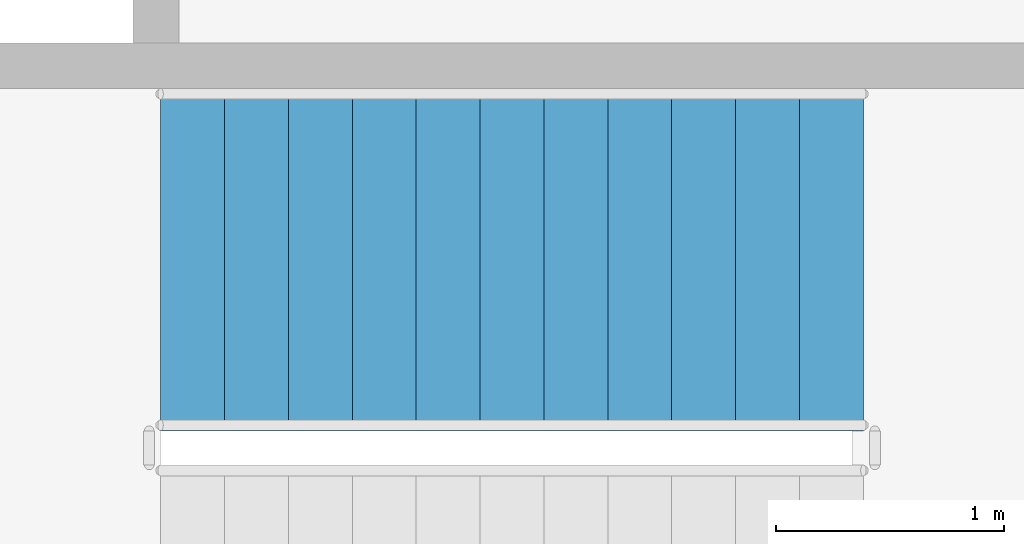
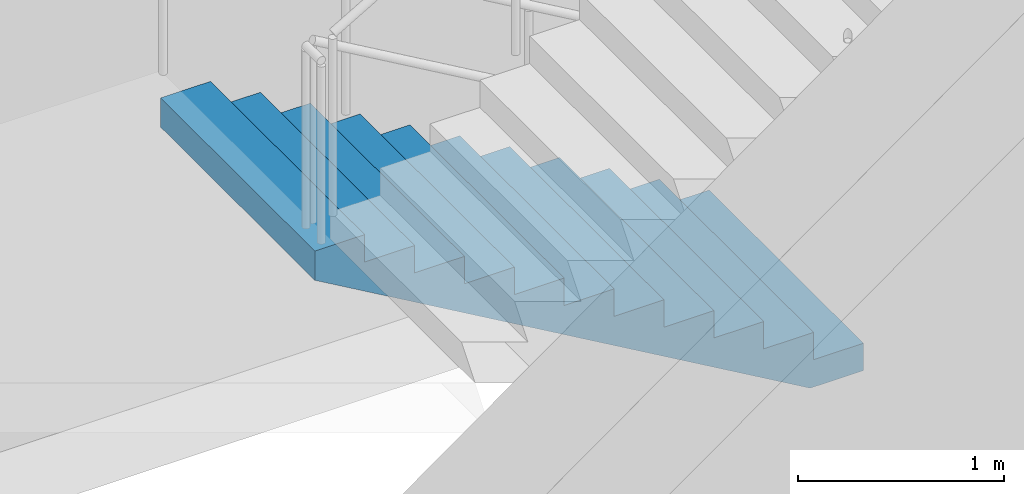
# One storey, part 74 of 95: 1 stair flight, 1 element without a shape of its own.
"""IFC4 building model written with IfcOpenShell, lengths in metres."""

from ifc_helpers import new_model, si_unit, direction, frame, origin, place, context, subcontext, project, spatial, triangles, material, type_object, element, aggregate, save


model = new_model("IFC4")

# Units and contexts
model_context = context("Model", 3, precision=1e-05, world=origin(), true_north=direction((0.0, 1.0)))
body_context = subcontext(model_context, "Body", "Model", "MODEL_VIEW")
ifc_project = project(units=[si_unit("LENGTHUNIT", "METRE"), si_unit("AREAUNIT", "SQUARE_METRE"), si_unit("VOLUMEUNIT", "CUBIC_METRE"), si_unit("PLANEANGLEUNIT", "RADIAN"), si_unit("MASSUNIT", "GRAM", prefix="KILO")], contexts=[model_context])

# Site, building, storey
site_placement = place(None, origin())
site = spatial("IfcSite", under=ifc_project, at=site_placement, CompositionType="ELEMENT")
building_placement = place(site_placement, origin())
building = spatial("IfcBuilding", under=site, at=building_placement, Name="Magnolia Steps Interchange", CompositionType="ELEMENT")
storey_placement = place(building_placement, frame((0.0, 0.0, 4.800048828125)))
storey = spatial("IfcBuildingStorey", under=building, at=storey_placement, Name="L01", CompositionType="ELEMENT", Elevation=4.800048828125)

# Stair, stair flight
ifc_material_1 = material(Name="Concrete C40", Category="concrete")
stair_type = type_object("IfcStairType", Name="Exit stair 1500", PredefinedType="HALF_TURN_STAIR", material=ifc_material_1)
stair_placement = place(storey_placement, origin())
stair = element("IfcStair", 1, at=stair_placement, inside=storey, type_object=stair_type, Name="L01 Stair 1", PredefinedType="HALF_TURN_STAIR")
ifc_material_2 = material(Name="Concrete C40", Category="concrete")
stair_flight_type = type_object("IfcStairFlightType", Name="Exit stair flight", PredefinedType="STRAIGHT", material=ifc_material_2)
stair_flight_placement = place(storey_placement, frame((59.0, 77.699951171875, 0.0), z_axis=(0.0, 0.0, 1.0), x_axis=(-1.0, 0.0, 0.0)))
stair_flight = element("IfcStairFlight", 2, at=stair_flight_placement, type_object=stair_flight_type, Name="Stair 1 flight 1", NumberOfRisers=12, NumberOfTreads=11, PredefinedType="STRAIGHT", RiserHeight=0.1625, TreadLength=0.28, context=body_context, shape_type="Tessellation", body=[
    triangles([(0.0, -0.75, 0.0), (0.298583984375, -0.75, 0.0), (3.080078125, -0.75, 1.6142578125), (3.080078125, -0.75, 1.78759765625), (2.800048828125, -0.75, 1.78759765625), (2.800048828125, -0.75, 1.625), (2.52001953125, -0.75, 1.625), (2.52001953125, -0.75, 1.46240234375), (2.239990234375, -0.75, 1.46240234375), (2.239990234375, -0.75, 1.300048828125), (1.9599609375, -0.75, 1.300048828125), (1.9599609375, -0.75, 1.137451171875), (1.679931640625, -0.75, 1.137451171875), (1.679931640625, -0.75, 0.97509765625), (1.39990234375, -0.75, 0.97509765625), (1.39990234375, -0.75, 0.8125), (1.1201171875, -0.75, 0.8125), (1.1201171875, -0.75, 0.64990234375), (0.840087890625, -0.75, 0.64990234375), (0.840087890625, -0.75, 0.487548828125), (0.56005859375, -0.75, 0.487548828125), (0.56005859375, -0.75, 0.324951171875), (0.280029296875, -0.75, 0.324951171875), (0.280029296875, -0.75, 0.16259765625), (0.0, -0.75, 0.16259765625), (0.0, 0.75, 0.0), (0.298583984375, 0.75, 0.0), (3.080078125, 0.75, 1.6142578125), (3.080078125, 0.75, 1.78759765625), (2.800048828125, 0.75, 1.78759765625), (2.800048828125, 0.75, 1.625), (2.52001953125, 0.75, 1.625), (2.52001953125, 0.75, 1.46240234375), (2.239990234375, 0.75, 1.46240234375), (2.239990234375, 0.75, 1.300048828125), (1.9599609375, 0.75, 1.300048828125), (1.9599609375, 0.75, 1.137451171875), (1.679931640625, 0.75, 1.137451171875), (1.679931640625, 0.75, 0.97509765625), (1.39990234375, 0.75, 0.97509765625), (1.39990234375, 0.75, 0.8125), (1.1201171875, 0.75, 0.8125), (1.1201171875, 0.75, 0.64990234375), (0.840087890625, 0.75, 0.64990234375), (0.840087890625, 0.75, 0.487548828125), (0.56005859375, 0.75, 0.487548828125), (0.56005859375, 0.75, 0.324951171875), (0.280029296875, 0.75, 0.324951171875), (0.280029296875, 0.75, 0.16259765625), (0.0, 0.75, 0.16259765625), (0.0, 0.0, 0.0), (0.0, 0.0, 0.0406494140625), (0.0, 0.0, 0.081298828125), (0.0, 0.0, 0.1219482421875), (0.0, 0.0, 0.16259765625), (0.0, -0.05, 0.0), (0.0, -0.05, 0.16259765625), (0.0, 0.05, 0.0), (0.0, 0.05, 0.16259765625), (0.046671549479166664, 0.0, 0.16259765625), (0.09334309895833333, 0.0, 0.16259765625), (0.1400146484375, 0.0, 0.16259765625), (0.18668619791666666, 0.0, 0.16259765625), (0.23335774739583334, 0.0, 0.16259765625), (0.280029296875, 0.0, 0.16259765625), (0.280029296875, -0.05, 0.16259765625), (0.280029296875, 0.05, 0.16259765625), (0.280029296875, 0.0, 0.20318603515625), (0.280029296875, 0.0, 0.2437744140625), (0.280029296875, 0.0, 0.28436279296875), (0.280029296875, 0.0, 0.324951171875), (0.280029296875, -0.05, 0.324951171875), (0.280029296875, 0.05, 0.324951171875), (0.3267008463541667, 0.0, 0.324951171875), (0.3733723958333333, 0.0, 0.324951171875), (0.4200439453125, 0.0, 0.324951171875), (0.46671549479166663, 0.0, 0.324951171875), (0.5133870442708334, 0.0, 0.324951171875), (0.56005859375, 0.0, 0.324951171875), (0.56005859375, -0.05, 0.324951171875), (0.56005859375, 0.05, 0.324951171875), (0.56005859375, 0.0, 0.3656005859375), (0.56005859375, 0.0, 0.40625), (0.56005859375, 0.0, 0.4468994140625), (0.56005859375, 0.0, 0.487548828125), (0.56005859375, -0.05, 0.487548828125), (0.56005859375, 0.05, 0.487548828125), (0.6067301432291666, 0.0, 0.487548828125), (0.6534016927083334, 0.0, 0.487548828125), (0.7000732421875, 0.0, 0.487548828125), (0.7467447916666666, 0.0, 0.487548828125), (0.7934163411458334, 0.0, 0.487548828125), (0.840087890625, 0.0, 0.487548828125), (0.840087890625, -0.05, 0.487548828125), (0.840087890625, 0.05, 0.487548828125), (0.840087890625, 0.0, 0.52813720703125), (0.840087890625, 0.0, 0.5687255859375), (0.840087890625, 0.0, 0.60931396484375), (0.840087890625, 0.0, 0.64990234375), (0.840087890625, -0.05, 0.64990234375), (0.840087890625, 0.05, 0.64990234375), (0.8867594401041666, 0.0, 0.64990234375), (0.9334309895833334, 0.0, 0.64990234375), (0.9801025390625, 0.0, 0.64990234375), (1.0267740885416667, 0.0, 0.64990234375), (1.0734456380208333, 0.0, 0.64990234375), (1.1201171875, 0.0, 0.64990234375), (1.1201171875, -0.05, 0.64990234375), (1.1201171875, 0.05, 0.64990234375), (1.1201171875, 0.0, 0.6905517578125), (1.1201171875, 0.0, 0.731201171875), (1.1201171875, 0.0, 0.7718505859375), (1.1201171875, 0.0, 0.8125), (1.1201171875, -0.05, 0.8125), (1.1201171875, 0.05, 0.8125), (1.1900634765625, 0.0, 0.8125), (1.260009765625, 0.0, 0.8125), (1.3299560546875, 0.0, 0.8125), (1.39990234375, 0.0, 0.8125), (1.39990234375, -0.05, 0.8125), (1.39990234375, 0.05, 0.8125), (1.39990234375, 0.0, 0.8531494140625), (1.39990234375, 0.0, 0.893798828125), (1.39990234375, 0.0, 0.9344482421875), (1.39990234375, 0.0, 0.97509765625), (1.39990234375, -0.05, 0.97509765625), (1.39990234375, 0.05, 0.97509765625), (1.4465738932291667, 0.0, 0.97509765625), (1.4932454427083333, 0.0, 0.97509765625), (1.5399169921875, 0.0, 0.97509765625), (1.5865885416666667, 0.0, 0.97509765625), (1.6332600911458333, 0.0, 0.97509765625), (1.679931640625, 0.0, 0.97509765625), (1.679931640625, -0.05, 0.97509765625), (1.679931640625, 0.05, 0.97509765625), (1.679931640625, 0.0, 1.01568603515625), (1.679931640625, 0.0, 1.0562744140625), (1.679931640625, 0.0, 1.09686279296875), (1.679931640625, 0.0, 1.137451171875), (1.679931640625, -0.05, 1.137451171875), (1.679931640625, 0.05, 1.137451171875), (1.7266031901041667, 0.0, 1.137451171875), (1.7732747395833333, 0.0, 1.137451171875), (1.8199462890625, 0.0, 1.137451171875), (1.8666178385416667, 0.0, 1.137451171875), (1.9132893880208333, 0.0, 1.137451171875), (1.9599609375, 0.0, 1.137451171875), (1.9599609375, -0.05, 1.137451171875), (1.9599609375, 0.05, 1.137451171875), (1.9599609375, 0.0, 1.1781005859375), (1.9599609375, 0.0, 1.21875), (1.9599609375, 0.0, 1.2593994140625), (1.9599609375, 0.0, 1.300048828125), (1.9599609375, -0.05, 1.300048828125), (1.9599609375, 0.05, 1.300048828125), (2.0066324869791665, 0.0, 1.300048828125), (2.0533040364583335, 0.0, 1.300048828125), (2.0999755859375, 0.0, 1.300048828125), (2.1466471354166665, 0.0, 1.300048828125), (2.1933186848958335, 0.0, 1.300048828125), (2.239990234375, 0.0, 1.300048828125), (2.239990234375, -0.05, 1.300048828125), (2.239990234375, 0.05, 1.300048828125), (2.239990234375, 0.0, 1.34063720703125), (2.239990234375, 0.0, 1.3812255859375), (2.239990234375, 0.0, 1.42181396484375), (2.239990234375, 0.0, 1.46240234375), (2.239990234375, -0.05, 1.46240234375), (2.239990234375, 0.05, 1.46240234375), (2.2866617838541665, 0.0, 1.46240234375), (2.3333333333333335, 0.0, 1.46240234375), (2.3800048828125, 0.0, 1.46240234375), (2.4266764322916665, 0.0, 1.46240234375), (2.4733479817708335, 0.0, 1.46240234375), (2.52001953125, 0.0, 1.46240234375), (2.52001953125, -0.05, 1.46240234375), (2.52001953125, 0.05, 1.46240234375), (2.52001953125, 0.0, 1.5030517578125), (2.52001953125, 0.0, 1.543701171875), (2.52001953125, 0.0, 1.5843505859375), (2.52001953125, 0.0, 1.625), (2.52001953125, -0.05, 1.625), (2.52001953125, 0.05, 1.625), (2.5666910807291665, 0.0, 1.625), (2.6133626302083335, 0.0, 1.625), (2.6600341796875, 0.0, 1.625), (2.7067057291666665, 0.0, 1.625), (2.7533772786458335, 0.0, 1.625), (2.800048828125, 0.0, 1.625), (2.800048828125, -0.05, 1.625), (2.800048828125, 0.05, 1.625), (2.800048828125, 0.0, 1.6656494140625), (2.800048828125, 0.0, 1.706298828125), (2.800048828125, 0.0, 1.7469482421875), (2.800048828125, 0.0, 1.78759765625), (2.800048828125, -0.05, 1.78759765625), (2.800048828125, 0.05, 1.78759765625), (2.8467203776041665, 0.0, 1.78759765625), (2.8933919270833335, 0.0, 1.78759765625), (2.9400634765625, 0.0, 1.78759765625), (2.9867350260416665, 0.0, 1.78759765625), (3.0334065755208335, 0.0, 1.78759765625), (3.080078125, 0.0, 1.78759765625), (3.080078125, -0.05, 1.78759765625), (3.080078125, 0.05, 1.78759765625), (3.080078125, 0.0, 1.7442626953125), (3.080078125, 0.0, 1.700927734375), (3.080078125, 0.0, 1.6575927734375), (3.080078125, 0.0, 1.6142578125), (3.080078125, -0.05, 1.6142578125), (3.080078125, 0.05, 1.6142578125), (3.0196108610733696, 0.0, 1.5791652513586956), (2.9591435971467392, 0.0, 1.5440726902173914), (2.898676333220109, 0.0, 1.508980129076087), (2.8382090692934785, 0.0, 1.4738875679347827), (2.7777418053668477, 0.0, 1.4387950067934783), (2.7172745414402173, 0.0, 1.4037024456521738), (2.656807277513587, 0.0, 1.3686098845108696), (2.5963400135869565, 0.0, 1.3335173233695652), (2.535872749660326, 0.0, 1.2984247622282608), (2.475405485733696, 0.0, 1.2633322010869565), (2.4149382218070654, 0.0, 1.228239639945652), (2.3544709578804346, 0.0, 1.193147078804348), (2.294003693953804, 0.0, 1.1580545176630435), (2.233536430027174, 0.0, 1.1229619565217392), (2.1730691661005435, 0.0, 1.0878693953804348), (2.112601902173913, 0.0, 1.0527768342391304), (2.0521346382472827, 0.0, 1.0176842730978262), (1.991667374320652, 0.0, 0.9825917119565217), (1.9312001103940217, 0.0, 0.9474991508152174), (1.8707328464673914, 0.0, 0.9124065896739131), (1.810265582540761, 0.0, 0.8773140285326086), (1.7497983186141304, 0.0, 0.8422214673913043), (1.6893310546875, 0.0, 0.80712890625), (1.6288637907608696, 0.0, 0.7720363451086957), (1.568396526834239, 0.0, 0.7369437839673914), (1.5079292629076086, 0.0, 0.7018512228260869), (1.4474619989809783, 0.0, 0.6667586616847826), (1.386994735054348, 0.0, 0.6316661005434783), (1.3265274711277173, 0.0, 0.5965735394021738), (1.266060207201087, 0.0, 0.5614809782608696), (1.2055929432744565, 0.0, 0.5263884171195652), (1.1451256793478262, 0.0, 0.491295855978261), (1.0846584154211956, 0.0, 0.45620329483695654), (1.0241911514945654, 0.0, 0.4211107336956521), (0.9637238875679346, 0.0, 0.3860181725543479), (0.9032566236413042, 0.0, 0.35092561141304346), (0.8427893597146738, 0.0, 0.315833050271739), (0.7823220957880435, 0.0, 0.2807404891304348), (0.7218548318614131, 0.0, 0.24564792798913038), (0.6613875679347827, 0.0, 0.21055536684782616), (0.6009203040081523, 0.0, 0.17546280570652173), (0.540453040081522, 0.0, 0.1403702445652173), (0.47998577615489113, 0.0, 0.10527768342391308), (0.41951851222826075, 0.0, 0.07018512228260865), (0.3590512483016304, 0.0, 0.035092561141304435), (0.298583984375, 0.0, 0.0), (0.298583984375, -0.05, 0.0), (0.298583984375, 0.05, 0.0), (0.24881998697916666, 0.0, 0.0), (0.19905598958333331, 0.0, 0.0), (0.1492919921875, 0.0, 0.0), (0.09952799479166666, 0.0, 0.0), (0.04976399739583334, 0.0, 0.0)], [[1, 2, 3], [3, 4, 5], [3, 5, 6], [3, 6, 7], [3, 7, 8], [8, 9, 10], [3, 8, 10], [10, 11, 12], [3, 10, 12], [12, 13, 14], [3, 12, 14], [14, 15, 16], [3, 14, 16], [16, 17, 18], [3, 16, 18], [18, 19, 20], [3, 18, 20], [20, 21, 22], [3, 20, 22], [1, 3, 22], [22, 23, 24], [1, 22, 24], [24, 25, 1], [26, 28, 27], [28, 30, 29], [28, 31, 30], [28, 32, 31], [28, 33, 32], [33, 35, 34], [28, 35, 33], [35, 37, 36], [28, 37, 35], [37, 39, 38], [28, 39, 37], [39, 41, 40], [28, 41, 39], [41, 43, 42], [28, 43, 41], [43, 45, 44], [28, 45, 43], [45, 47, 46], [28, 47, 45], [26, 47, 28], [47, 49, 48], [26, 49, 47], [49, 26, 50], [1, 25, 57], [1, 57, 56], [56, 52, 51], [56, 53, 52], [56, 57, 53], [57, 54, 53], [57, 55, 54], [26, 59, 50], [26, 58, 59], [58, 51, 52], [58, 52, 53], [58, 53, 59], [59, 53, 54], [59, 54, 55], [25, 24, 66], [25, 66, 57], [57, 60, 55], [57, 61, 60], [57, 62, 61], [57, 66, 62], [66, 63, 62], [66, 64, 63], [66, 65, 64], [50, 67, 49], [50, 59, 67], [59, 55, 60], [59, 60, 61], [59, 61, 62], [59, 62, 67], [67, 62, 63], [67, 63, 64], [67, 64, 65], [24, 23, 72], [24, 72, 66], [66, 68, 65], [66, 69, 68], [66, 72, 69], [72, 70, 69], [72, 71, 70], [49, 73, 48], [49, 67, 73], [67, 65, 68], [67, 68, 69], [67, 69, 73], [73, 69, 70], [73, 70, 71], [23, 22, 80], [23, 80, 72], [72, 74, 71], [72, 75, 74], [72, 76, 75], [72, 80, 76], [80, 77, 76], [80, 78, 77], [80, 79, 78], [48, 81, 47], [48, 73, 81], [73, 71, 74], [73, 74, 75], [73, 75, 76], [73, 76, 81], [81, 76, 77], [81, 77, 78], [81, 78, 79], [22, 21, 86], [22, 86, 80], [80, 82, 79], [80, 83, 82], [80, 86, 83], [86, 84, 83], [86, 85, 84], [47, 87, 46], [47, 81, 87], [81, 79, 82], [81, 82, 83], [81, 83, 87], [87, 83, 84], [87, 84, 85], [21, 20, 94], [21, 94, 86], [86, 88, 85], [86, 89, 88], [86, 90, 89], [86, 94, 90], [94, 91, 90], [94, 92, 91], [94, 93, 92], [46, 95, 45], [46, 87, 95], [87, 85, 88], [87, 88, 89], [87, 89, 90], [87, 90, 95], [95, 90, 91], [95, 91, 92], [95, 92, 93], [20, 19, 100], [20, 100, 94], [94, 96, 93], [94, 97, 96], [94, 100, 97], [100, 98, 97], [100, 99, 98], [45, 101, 44], [45, 95, 101], [95, 93, 96], [95, 96, 97], [95, 97, 101], [101, 97, 98], [101, 98, 99], [19, 18, 108], [19, 108, 100], [100, 102, 99], [100, 103, 102], [100, 104, 103], [100, 108, 104], [108, 105, 104], [108, 106, 105], [108, 107, 106], [44, 109, 43], [44, 101, 109], [101, 99, 102], [101, 102, 103], [101, 103, 104], [101, 104, 109], [109, 104, 105], [109, 105, 106], [109, 106, 107], [18, 17, 114], [18, 114, 108], [108, 110, 107], [108, 111, 110], [108, 114, 111], [114, 112, 111], [114, 113, 112], [43, 115, 42], [43, 109, 115], [109, 107, 110], [109, 110, 111], [109, 111, 115], [115, 111, 112], [115, 112, 113], [17, 16, 120], [17, 120, 114], [114, 116, 113], [114, 117, 116], [114, 120, 117], [120, 118, 117], [120, 119, 118], [42, 121, 41], [42, 115, 121], [115, 113, 116], [115, 116, 117], [115, 117, 121], [121, 117, 118], [121, 118, 119], [16, 15, 126], [16, 126, 120], [120, 122, 119], [120, 123, 122], [120, 126, 123], [126, 124, 123], [126, 125, 124], [41, 127, 40], [41, 121, 127], [121, 119, 122], [121, 122, 123], [121, 123, 127], [127, 123, 124], [127, 124, 125], [15, 14, 134], [15, 134, 126], [126, 128, 125], [126, 129, 128], [126, 130, 129], [126, 134, 130], [134, 131, 130], [134, 132, 131], [134, 133, 132], [40, 135, 39], [40, 127, 135], [127, 125, 128], [127, 128, 129], [127, 129, 130], [127, 130, 135], [135, 130, 131], [135, 131, 132], [135, 132, 133], [14, 13, 140], [14, 140, 134], [134, 136, 133], [134, 137, 136], [134, 140, 137], [140, 138, 137], [140, 139, 138], [39, 141, 38], [39, 135, 141], [135, 133, 136], [135, 136, 137], [135, 137, 141], [141, 137, 138], [141, 138, 139], [13, 12, 148], [13, 148, 140], [140, 142, 139], [140, 143, 142], [140, 144, 143], [140, 148, 144], [148, 145, 144], [148, 146, 145], [148, 147, 146], [38, 149, 37], [38, 141, 149], [141, 139, 142], [141, 142, 143], [141, 143, 144], [141, 144, 149], [149, 144, 145], [149, 145, 146], [149, 146, 147], [12, 11, 154], [12, 154, 148], [148, 150, 147], [148, 151, 150], [148, 154, 151], [154, 152, 151], [154, 153, 152], [37, 155, 36], [37, 149, 155], [149, 147, 150], [149, 150, 151], [149, 151, 155], [155, 151, 152], [155, 152, 153], [11, 10, 162], [11, 162, 154], [154, 156, 153], [154, 157, 156], [154, 158, 157], [154, 162, 158], [162, 159, 158], [162, 160, 159], [162, 161, 160], [36, 163, 35], [36, 155, 163], [155, 153, 156], [155, 156, 157], [155, 157, 158], [155, 158, 163], [163, 158, 159], [163, 159, 160], [163, 160, 161], [10, 9, 168], [10, 168, 162], [162, 164, 161], [162, 165, 164], [162, 168, 165], [168, 166, 165], [168, 167, 166], [35, 169, 34], [35, 163, 169], [163, 161, 164], [163, 164, 165], [163, 165, 169], [169, 165, 166], [169, 166, 167], [9, 8, 176], [9, 176, 168], [168, 170, 167], [168, 171, 170], [168, 172, 171], [168, 176, 172], [176, 173, 172], [176, 174, 173], [176, 175, 174], [34, 177, 33], [34, 169, 177], [169, 167, 170], [169, 170, 171], [169, 171, 172], [169, 172, 177], [177, 172, 173], [177, 173, 174], [177, 174, 175], [8, 7, 182], [8, 182, 176], [176, 178, 175], [176, 179, 178], [176, 182, 179], [182, 180, 179], [182, 181, 180], [33, 183, 32], [33, 177, 183], [177, 175, 178], [177, 178, 179], [177, 179, 183], [183, 179, 180], [183, 180, 181], [7, 6, 190], [7, 190, 182], [182, 184, 181], [182, 185, 184], [182, 186, 185], [182, 190, 186], [190, 187, 186], [190, 188, 187], [190, 189, 188], [32, 191, 31], [32, 183, 191], [183, 181, 184], [183, 184, 185], [183, 185, 186], [183, 186, 191], [191, 186, 187], [191, 187, 188], [191, 188, 189], [6, 5, 196], [6, 196, 190], [190, 192, 189], [190, 193, 192], [190, 196, 193], [196, 194, 193], [196, 195, 194], [31, 197, 30], [31, 191, 197], [191, 189, 192], [191, 192, 193], [191, 193, 197], [197, 193, 194], [197, 194, 195], [5, 4, 204], [5, 204, 196], [196, 198, 195], [196, 199, 198], [196, 200, 199], [196, 204, 200], [204, 201, 200], [204, 202, 201], [204, 203, 202], [30, 205, 29], [30, 197, 205], [197, 195, 198], [197, 198, 199], [197, 199, 200], [197, 200, 205], [205, 200, 201], [205, 201, 202], [205, 202, 203], [4, 3, 210], [4, 210, 204], [204, 206, 203], [204, 207, 206], [204, 210, 207], [210, 208, 207], [210, 209, 208], [29, 211, 28], [29, 205, 211], [205, 203, 206], [205, 206, 207], [205, 207, 211], [211, 207, 208], [211, 208, 209], [3, 2, 258], [3, 258, 210], [210, 212, 209], [210, 213, 212], [210, 214, 213], [210, 215, 214], [210, 216, 215], [210, 217, 216], [210, 218, 217], [210, 219, 218], [210, 220, 219], [210, 221, 220], [210, 222, 221], [210, 223, 222], [210, 224, 223], [210, 225, 224], [210, 226, 225], [210, 227, 226], [210, 228, 227], [210, 229, 228], [210, 230, 229], [210, 231, 230], [210, 232, 231], [210, 233, 232], [210, 234, 233], [210, 258, 234], [258, 235, 234], [258, 236, 235], [258, 237, 236], [258, 238, 237], [258, 239, 238], [258, 240, 239], [258, 241, 240], [258, 242, 241], [258, 243, 242], [258, 244, 243], [258, 245, 244], [258, 246, 245], [258, 247, 246], [258, 248, 247], [258, 249, 248], [258, 250, 249], [258, 251, 250], [258, 252, 251], [258, 253, 252], [258, 254, 253], [258, 255, 254], [258, 256, 255], [258, 257, 256], [28, 259, 27], [28, 211, 259], [211, 209, 212], [211, 212, 213], [211, 213, 214], [211, 214, 215], [211, 215, 216], [211, 216, 217], [211, 217, 218], [211, 218, 219], [211, 219, 220], [211, 220, 221], [211, 221, 222], [211, 222, 223], [211, 223, 224], [211, 224, 225], [211, 225, 226], [211, 226, 227], [211, 227, 228], [211, 228, 229], [211, 229, 230], [211, 230, 231], [211, 231, 232], [211, 232, 233], [211, 233, 234], [211, 234, 259], [259, 234, 235], [259, 235, 236], [259, 236, 237], [259, 237, 238], [259, 238, 239], [259, 239, 240], [259, 240, 241], [259, 241, 242], [259, 242, 243], [259, 243, 244], [259, 244, 245], [259, 245, 246], [259, 246, 247], [259, 247, 248], [259, 248, 249], [259, 249, 250], [259, 250, 251], [259, 251, 252], [259, 252, 253], [259, 253, 254], [259, 254, 255], [259, 255, 256], [259, 256, 257], [2, 1, 56], [2, 56, 258], [258, 260, 257], [258, 261, 260], [258, 262, 261], [258, 56, 262], [56, 263, 262], [56, 264, 263], [56, 51, 264], [27, 58, 26], [27, 259, 58], [259, 257, 260], [259, 260, 261], [259, 261, 262], [259, 262, 58], [58, 262, 263], [58, 263, 264], [58, 264, 51]], closed=True),
])
aggregate(stair, [stair_flight])

save(model, "model.ifc")
